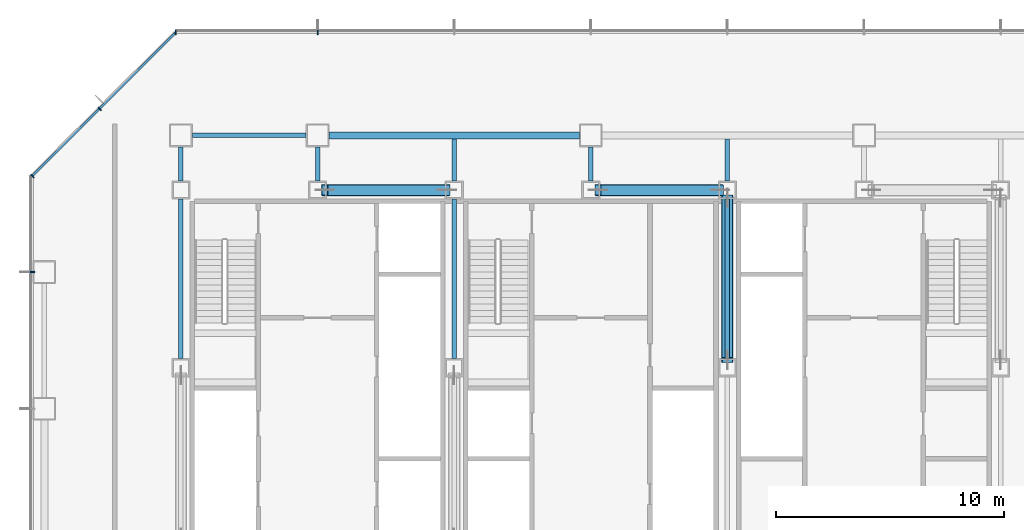
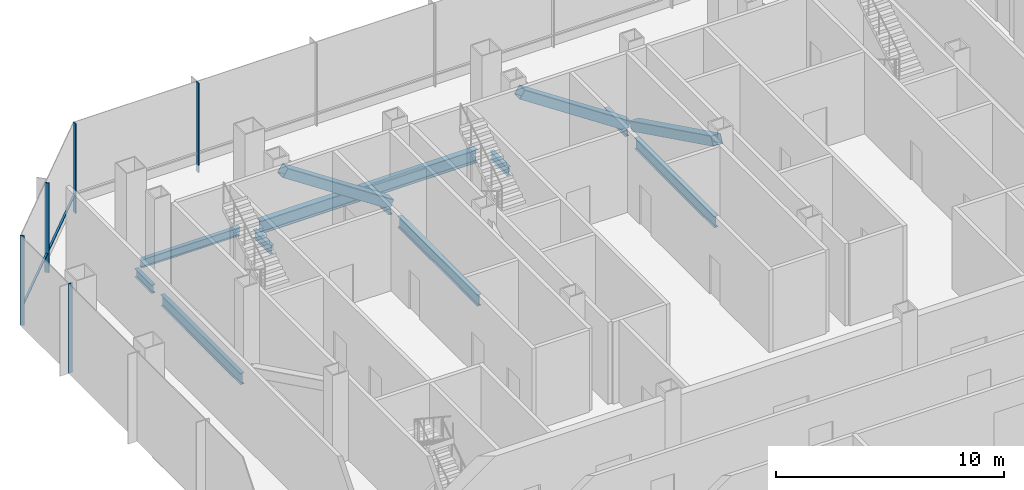
# One storey, part 13 of 33: 10 beams, 9 members, 3 elements without a shape of their own.
"""IFC4 building model written with IfcOpenShell, lengths in metres."""

import ifcopenshell
import ifcopenshell.guid

model = None  # the IFC model being written
_history = None  # IfcOwnerHistory: only IFC2X3 demands one
_inside = {}  # id of a spatial element -> (the spatial element, [elements in it])
_under = {}  # id of a project, library or spatial element -> (it, [spatial elements below it])
_declared = {}  # id of a project -> (the project, [libraries it declares])
_typed = {}  # id of a type object -> (the type object, [elements of that type])
_made_of = {}  # id of a material, layer set ... -> (it, [elements and type objects made of it])


def new_model(schema):
    """Start an empty IFC model of exactly this schema.

    Asked for "IFC4X3", IfcOpenShell would pick the latest addendum, in which some entities
    have other attributes; the version numbers below select the first issue.
    IFC2X3 requires an IfcOwnerHistory on every rooted entity: one is made here for all.
    """
    global model, _history
    if schema == "IFC4X3":
        model = ifcopenshell.file(schema_version=(4, 3, 0, 0))
    else:
        model = ifcopenshell.file(schema=schema)
    _inside.clear()
    _under.clear()
    _declared.clear()
    _typed.clear()
    _made_of.clear()
    _history = None
    if model.schema == "IFC2X3":
        org = make("IfcOrganization", Name="unknown")
        user = make(
            "IfcPersonAndOrganization",
            ThePerson=make("IfcPerson", FamilyName="unknown"),
            TheOrganization=org,
        )
        app = make(
            "IfcApplication",
            ApplicationDeveloper=org,
            Version="unknown",
            ApplicationFullName="unknown",
            ApplicationIdentifier="unknown",
        )
        _history = make(
            "IfcOwnerHistory",
            OwningUser=user,
            OwningApplication=app,
            ChangeAction="ADDED",
            CreationDate=0,
        )
    return model


def make(cls, **values):
    """One entity of the class cls with the attributes given. An attribute that is None is left unset."""
    return model.create_entity(
        cls, **{name: value for name, value in values.items() if value is not None}
    )


def rooted(cls, **values):
    """An entity with a GlobalId (a new one), such as an element, a storey or a relation."""
    return make(cls, GlobalId=ifcopenshell.guid.new(), OwnerHistory=_history, **values)


def si_unit(unit_type, name, prefix=None):
    """IfcSIUnit, for example si_unit("LENGTHUNIT", "METRE", prefix="MILLI")."""
    return make("IfcSIUnit", UnitType=unit_type, Prefix=prefix, Name=name)


def assignment(units):
    """IfcUnitAssignment: the units of a project."""
    return None if units is None else make("IfcUnitAssignment", Units=units)


def point(xyz):
    """IfcCartesianPoint."""
    return None if xyz is None else make("IfcCartesianPoint", Coordinates=xyz)


def direction(xyz):
    """IfcDirection."""
    return None if xyz is None else make("IfcDirection", DirectionRatios=xyz)


def frame(location, z_axis=None, x_axis=None):
    """IfcAxis2Placement3D, a coordinate frame: its origin and axes. An axis left out is left unset."""
    return make(
        "IfcAxis2Placement3D",
        Location=point(location),
        Axis=direction(z_axis),
        RefDirection=direction(x_axis),
    )


def frame_2d(location, x_axis=None):
    """IfcAxis2Placement2D, a coordinate frame in the plane: its origin and x axis."""
    return make(
        "IfcAxis2Placement2D", Location=point(location), RefDirection=direction(x_axis)
    )


def origin():
    """The frame at (0, 0, 0) with its axes left unset."""
    return frame((0.0, 0.0, 0.0))


def origin_2d():
    """The frame at (0, 0) in the plane with its x axis left unset."""
    return frame_2d((0.0, 0.0))


def place(relative_to, where):
    """IfcLocalPlacement: puts the frame where relative to a parent placement (None: the world)."""
    return make(
        "IfcLocalPlacement", PlacementRelTo=relative_to, RelativePlacement=where
    )


def context(
    kind, dimensions, precision=None, world=None, true_north=None, identifier=None
):
    """IfcGeometricRepresentationContext, for example the 3D "Model" context."""
    return make(
        "IfcGeometricRepresentationContext",
        ContextIdentifier=identifier,
        ContextType=kind,
        CoordinateSpaceDimension=dimensions,
        Precision=precision,
        WorldCoordinateSystem=world,
        TrueNorth=true_north,
    )


def subcontext(parent, identifier, kind, view, scale=None):
    """IfcGeometricRepresentationSubContext, for example "Body" below "Model"."""
    return make(
        "IfcGeometricRepresentationSubContext",
        ContextIdentifier=identifier,
        ContextType=kind,
        ParentContext=parent,
        TargetScale=scale,
        TargetView=view,
    )


def project(units=None, contexts=None):
    """IfcProject with its units and contexts."""
    return rooted(
        "IfcProject",
        Name="project",
        RepresentationContexts=contexts,
        UnitsInContext=assignment(units),
    )


def spatial(cls, under=None, at=None, **own):
    """A site, building, storey or space (cls), placed at a placement, below another one or the project."""
    s = rooted(cls, ObjectPlacement=at, **own)
    if under is not None:
        _under.setdefault(under.id(), (under, []))[1].append(s)
    return s


def profile(cls, at=None, kind="AREA", **sizes):
    """A parametric profile (cls). Its sizes go by their IFC names, for example OverallWidth=200.0."""
    return make(cls, ProfileType=kind, Position=at, **sizes)


def rectangle(**sizes):
    """IfcRectangleProfileDef."""
    return profile("IfcRectangleProfileDef", **sizes)


def hollow_rectangle(**sizes):
    """IfcRectangleHollowProfileDef."""
    return profile("IfcRectangleHollowProfileDef", **sizes)


def i_section(**sizes):
    """IfcIShapeProfileDef."""
    return profile("IfcIShapeProfileDef", **sizes)


def extrude(swept, where, along, depth):
    """IfcExtrudedAreaSolid: the profile swept, set in the frame where, extruded along a direction by depth."""
    return make(
        "IfcExtrudedAreaSolid",
        SweptArea=swept,
        Position=where,
        ExtrudedDirection=direction(along),
        Depth=depth,
    )


def shape(context_of_items, identifier, shape_type, items):
    """IfcShapeRepresentation: the items that make up one representation, for example the "Body"."""
    return make(
        "IfcShapeRepresentation",
        ContextOfItems=context_of_items,
        RepresentationIdentifier=identifier,
        RepresentationType=shape_type,
        Items=items,
    )


def material(Name=None, Category=None):
    """IfcMaterial."""
    return make("IfcMaterial", Name=Name, Category=Category)


def material_profile(
    of_material, cross_section, Name=None, Category=None, Priority=None
):
    """IfcMaterialProfile: a cross section and its material."""
    return make(
        "IfcMaterialProfile",
        Name=Name,
        Material=of_material,
        Profile=cross_section,
        Priority=Priority,
        Category=Category,
    )


def profile_set(profiles, Name=None, composite=None):
    """IfcMaterialProfileSet."""
    return make(
        "IfcMaterialProfileSet",
        Name=Name,
        MaterialProfiles=profiles,
        CompositeProfile=composite,
    )


def made_of(thing, what):
    """Note that an element or type object is made of a material, layer set ...; save() writes the relation."""
    if what is not None:
        _made_of.setdefault(what.id(), (what, []))[1].append(thing)
    return thing


def type_object(cls, material=None, **own):
    """A type object (cls), such as IfcWallType, which elements share."""
    return made_of(rooted(cls, **own), material)


def element(
    cls,
    number,
    at=None,
    inside=None,
    cuts=None,
    type_object=None,
    material=None,
    context=None,
    identifier="Body",
    shape_type=None,
    held_by="IfcProductDefinitionShape",
    body=None,
    shapes=None,
    **own,
):
    """One element of the class cls, such as IfcWall. Its Tag is "e" and its number.

    at: its placement. inside: the storey or other place that contains it. cuts: it is an
    opening in that element (IfcRelVoidsElement). A single representation is given by context,
    identifier, shape_type and body (its items); several are given by shapes. held_by: the class
    of the entity that holds the representations. save() writes the other relations.
    """
    e = rooted(cls, Tag="e%d" % number, ObjectPlacement=at, **own)
    if body is not None:
        shapes = [shape(context, identifier, shape_type, body)]
    if shapes is not None:
        e.Representation = make(held_by, Representations=shapes)
    if inside is not None:
        _inside.setdefault(inside.id(), (inside, []))[1].append(e)
    if cuts is not None:
        rooted(
            "IfcRelVoidsElement", RelatingBuildingElement=cuts, RelatedOpeningElement=e
        )
    if type_object is not None:
        _typed.setdefault(type_object.id(), (type_object, []))[1].append(e)
    return made_of(e, material)


def aggregate(whole, parts):
    """IfcRelAggregates: a whole, such as a stair, and the parts it consists of."""
    return rooted("IfcRelAggregates", RelatingObject=whole, RelatedObjects=parts)


def save(model, path):
    """Write the relations noted so far, then the file.

    IfcRelAggregates (storeys below a building ...), IfcRelContainedInSpatialStructure (elements
    in a storey), IfcRelDefinesByType, IfcRelAssociatesMaterial and IfcRelDeclares: one each for
    every whole, place, type object, material and project.
    """
    for whole, parts in _under.values():
        aggregate(whole, parts)
    for where, things in _inside.values():
        rooted(
            "IfcRelContainedInSpatialStructure",
            RelatedElements=things,
            RelatingStructure=where,
        )
    for kind, things in _typed.values():
        rooted("IfcRelDefinesByType", RelatedObjects=things, RelatingType=kind)
    for what, things in _made_of.values():
        rooted("IfcRelAssociatesMaterial", RelatedObjects=things, RelatingMaterial=what)
    for by, libraries in _declared.values():
        rooted("IfcRelDeclares", RelatingContext=by, RelatedDefinitions=libraries)
    model.write(path)


model = new_model("IFC4")

# Units and contexts
model_context = context("Model", 3, precision=1e-05, world=origin(), true_north=direction((0.0, 1.0)))
body_context = subcontext(model_context, "Body", "Model", "MODEL_VIEW")
ifc_project = project(units=[si_unit("LENGTHUNIT", "METRE"), si_unit("AREAUNIT", "SQUARE_METRE"), si_unit("VOLUMEUNIT", "CUBIC_METRE"), si_unit("PLANEANGLEUNIT", "RADIAN"), si_unit("MASSUNIT", "GRAM", prefix="KILO")], contexts=[model_context])

# Site, building, storey
site_placement = place(None, origin())
site = spatial("IfcSite", under=ifc_project, at=site_placement, CompositionType="ELEMENT")
building_placement = place(site_placement, origin())
building = spatial("IfcBuilding", under=site, at=building_placement, Name="Sorahane Residences", CompositionType="ELEMENT")
storey_placement = place(building_placement, frame((0.0, 0.0, 25.199951171875)))
storey = spatial("IfcBuildingStorey", under=building, at=storey_placement, Name="L03", CompositionType="ELEMENT", Elevation=25.199951171875)

# Members
ifc_material_1 = material(Name="Steel Q355B", Category="steel")
ifc_material_profile_1 = material_profile(ifc_material_1, hollow_rectangle(XDim=0.5, YDim=0.5, WallThickness=0.02490234375, InnerFilletRadius=0.012451171875, OuterFilletRadius=0.03759765625, at=origin_2d()), Name="RHS 500x500x25")
ifc_profile_set_1 = profile_set([ifc_material_profile_1], Name="Steel Q355B")
member_type_1 = type_object("IfcMemberType", Name="Core brace RHS 500x500x25 Q355B", PredefinedType="BRACE", material=ifc_profile_set_1)
for number, where, z_axis, x_axis, name in (
    (1, (17.682861328125, 45.60009765625, 0.195068359375), (-0.833273178454, 0.0, 0.552861474575), (0.0, -1.0, 0.0), "Core brace L03 y45.6-2"),
    (2, (29.682861328125, 45.60009765625, 0.195068359375), (-0.833273178454, 0.0, 0.552861474575), (0.0, -1.0, 0.0), "Core brace L03 y45.6-4"),
):
    element("IfcMember", number, at=place(storey_placement, frame(where, z_axis=z_axis, x_axis=x_axis)), inside=storey, type_object=member_type_1, Name=name, PredefinedType="BRACE", context=body_context, shape_type="SweptSolid", body=[
        extrude(hollow_rectangle(XDim=0.5, YDim=0.5, WallThickness=0.02490234375, InnerFilletRadius=0.012451171875, OuterFilletRadius=0.03759765625, at=origin_2d()), origin(), (0.0, 0.0, 1.0), 6.439453125),
    ])
member_1_placement = place(storey_placement, frame((30.0, 45.266357421875, 0.21728515625), z_axis=(0.0, -0.89697311716, 0.44208509033), x_axis=(1.0, 0.0, 0.0)))
element("IfcMember", 3, at=member_1_placement, inside=storey, type_object=member_type_1, Name="Core brace L03 x30-2", PredefinedType="BRACE", context=body_context, shape_type="SweptSolid", body=[
    extrude(hollow_rectangle(XDim=0.5, YDim=0.5, WallThickness=0.02490234375, InnerFilletRadius=0.012451171875, OuterFilletRadius=0.03759765625, at=origin_2d()), origin(), (0.0, 0.0, 1.0), 7.951904296875),
])

# Curtain wall, members
ifc_material_2 = material(Name="Dark low-e glass and black anodised aluminium", Category="aluminium")
curtain_wall_type = type_object("IfcCurtainWallType", Name="Curtain wall CW-3 Podium unitised wall", PredefinedType="NOTDEFINED", material=ifc_material_2)
curtain_wall_1_placement = place(storey_placement, origin())
curtain_wall_1 = element("IfcCurtainWall", 4, at=curtain_wall_1_placement, inside=storey, type_object=curtain_wall_type, Name="CW-3 curtain wall L03 N1", PredefinedType="NOTDEFINED")
ifc_material_3 = material(Name="Black anodised aluminium", Category="aluminium")
ifc_material_profile_2 = material_profile(ifc_material_3, rectangle(XDim=0.199951171875, YDim=0.050048828125, at=origin_2d()), Name="Curtain wall mullion CW-3 black anodised aluminium 50x200")
ifc_profile_set_2 = profile_set([ifc_material_profile_2], Name="Black anodised aluminium")
member_type_2 = type_object("IfcMemberType", Name="Curtain wall mullion CW-3 black anodised aluminium 50x200", PredefinedType="MULLION", material=ifc_profile_set_2)
member_2_placement = place(storey_placement, frame((12.0, 52.52001953125, -0.39990234375), z_axis=(0.0, 0.0, 1.0), x_axis=(0.0, 1.0, 0.0)))
member_2 = element("IfcMember", 5, at=member_2_placement, type_object=member_type_2, Name="CW-3 mullion L03 N1.12", PredefinedType="MULLION", context=body_context, shape_type="SweptSolid", body=[
    extrude(rectangle(XDim=0.199951171875, YDim=0.050048828125, at=origin_2d()), origin(), (0.0, 0.0, 1.0), 4.800048828125),
])
member_3_placement = place(storey_placement, frame((5.7763671875, 52.52001953125, -0.39990234375), z_axis=(0.0, 0.0, 1.0), x_axis=(0.0, 1.0, 0.0)))
member_3 = element("IfcMember", 6, at=member_3_placement, type_object=member_type_2, Name="CW-3 mullion L03 N1.13", PredefinedType="MULLION", context=body_context, shape_type="SweptSolid", body=[
    extrude(rectangle(XDim=0.199951171875, YDim=0.050048828125, at=origin_2d()), origin(), (0.0, 0.0, 1.0), 4.800048828125),
])
aggregate(curtain_wall_1, [member_2, member_3])

curtain_wall_2_placement = place(storey_placement, origin())
curtain_wall_2 = element("IfcCurtainWall", 7, at=curtain_wall_2_placement, inside=storey, type_object=curtain_wall_type, Name="CW-3 curtain wall L03 NW1", PredefinedType="NOTDEFINED")
member_4_placement = place(storey_placement, frame((2.432373046875, 49.167724609375, -0.39990234375), z_axis=(0.0, 0.0, 1.0), x_axis=(-0.707106781187, 0.707106781187, 0.0)))
member_4 = element("IfcMember", 8, at=member_4_placement, type_object=member_type_2, Name="CW-3 mullion L03 NW1.2", PredefinedType="MULLION", context=body_context, shape_type="SweptSolid", body=[
    extrude(rectangle(XDim=0.199951171875, YDim=0.050048828125, at=origin_2d()), origin(), (0.0, 0.0, 1.0), 4.800048828125),
])
member_5_placement = place(storey_placement, frame((-0.525634765625, 46.209716796875, -0.39990234375), z_axis=(0.0, 0.0, 1.0), x_axis=(-0.707106781187, 0.707106781187, 0.0)))
member_5 = element("IfcMember", 9, at=member_5_placement, type_object=member_type_2, Name="CW-3 mullion L03 NW1.3", PredefinedType="MULLION", context=body_context, shape_type="SweptSolid", body=[
    extrude(rectangle(XDim=0.199951171875, YDim=0.050048828125, at=origin_2d()), origin(), (0.0, 0.0, 1.0), 4.800048828125),
])

# Curtain wall, member
curtain_wall_3_placement = place(storey_placement, origin())
curtain_wall_3 = element("IfcCurtainWall", 10, at=curtain_wall_3_placement, inside=storey, type_object=curtain_wall_type, Name="CW-3 curtain wall L03 W1", PredefinedType="NOTDEFINED")
member_6_placement = place(storey_placement, frame((-0.52001953125, 42.0, -0.39990234375), z_axis=(0.0, 0.0, 1.0), x_axis=(-1.0, 0.0, 0.0)))
member_6 = element("IfcMember", 11, at=member_6_placement, type_object=member_type_2, Name="CW-3 mullion L03 W1.2", PredefinedType="MULLION", context=body_context, shape_type="SweptSolid", body=[
    extrude(rectangle(XDim=0.199951171875, YDim=0.050048828125, at=origin_2d()), origin(), (0.0, 0.0, 1.0), 4.800048828125),
])
aggregate(curtain_wall_3, [member_6])

# Member
ifc_material_4 = material(Name="Black anodised aluminium", Category="aluminium")
ifc_material_profile_3 = material_profile(ifc_material_4, rectangle(XDim=0.10009765625, YDim=0.06005859375, at=origin_2d()), Name="Curtain wall transom CW-3 black anodised aluminium 60x100")
ifc_profile_set_3 = profile_set([ifc_material_profile_3], Name="Black anodised aluminium")
member_type_3 = type_object("IfcMemberType", Name="Curtain wall transom CW-3 black anodised aluminium 60x100", PredefinedType="USERDEFINED", material=ifc_profile_set_3)
member_7_placement = place(storey_placement, frame((5.765625, 52.51513671875, 0.60009765625), z_axis=(-0.707106781187, -0.707106781187, 0.0), x_axis=(0.707106781187, -0.707106781187, 0.0)))
member_7 = element("IfcMember", 12, at=member_7_placement, type_object=member_type_3, Name="CW-3 transom L03 NW1", ObjectType="TRANSOM", PredefinedType="USERDEFINED", context=body_context, shape_type="SweptSolid", body=[
    extrude(rectangle(XDim=0.10009765625, YDim=0.06005859375, at=origin_2d()), origin(), (0.0, 0.0, 1.0), 8.88232421875),
])

aggregate(curtain_wall_2, [member_4, member_5, member_7])

# Beams
ifc_material_5 = material(Name="Steel Q355B", Category="steel")
ifc_material_profile_4 = material_profile(ifc_material_5, i_section(OverallWidth=0.199951171875, OverallDepth=0.449951171875, WebThickness=0.009033203125, FlangeThickness=0.013916015625, FilletRadius=0.02001953125, at=origin_2d()), Name="HN 450x200x9x14")
ifc_profile_set_4 = profile_set([ifc_material_profile_4], Name="Steel Q355B")
beam_type_1 = type_object("IfcBeamType", Name="Steel floor beam HN 450x200x9x14 Q355B", PredefinedType="BEAM", material=ifc_profile_set_4)
beam_1_placement = place(storey_placement, frame((6.5, 48.0, -0.625), z_axis=(1.0, 0.0, 0.0), x_axis=(0.0, 1.0, 0.0)))
element("IfcBeam", 13, at=beam_1_placement, inside=storey, type_object=beam_type_1, Name="Beam L03 018", PredefinedType="BEAM", context=body_context, shape_type="SweptSolid", body=[
    extrude(i_section(OverallWidth=0.199951171875, OverallDepth=0.449951171875, WebThickness=0.009033203125, FlangeThickness=0.013916015625, FilletRadius=0.02001953125, at=origin_2d()), origin(), (0.0, 0.0, 1.0), 5.0),
])
for number, where, z_axis, x_axis, name in (
    (14, (6.0, 46.0, -0.625), (0.0, 1.0, 0.0), (-1.0, 0.0, 0.0), "Beam L03 034"),
    (15, (12.0, 46.0, -0.625), (0.0, 1.0, 0.0), (-1.0, 0.0, 0.0), "Beam L03 037"),
):
    element("IfcBeam", number, at=place(storey_placement, frame(where, z_axis=z_axis, x_axis=x_axis)), inside=storey, type_object=beam_type_1, Name=name, PredefinedType="BEAM", context=body_context, shape_type="SweptSolid", body=[
        extrude(i_section(OverallWidth=0.199951171875, OverallDepth=0.449951171875, WebThickness=0.009033203125, FlangeThickness=0.013916015625, FilletRadius=0.02001953125, at=origin_2d()), origin(), (0.0, 0.0, 1.0), 1.5),
    ])
beam_2_placement = place(storey_placement, frame((18.0, 46.0, -0.625), z_axis=(0.0, 1.0, 0.0), x_axis=(-1.0, 0.0, 0.0)))
element("IfcBeam", 16, at=beam_2_placement, inside=storey, type_object=beam_type_1, Name="Beam L03 043", PredefinedType="BEAM", context=body_context, shape_type="SweptSolid", body=[
    extrude(i_section(OverallWidth=0.199951171875, OverallDepth=0.449951171875, WebThickness=0.009033203125, FlangeThickness=0.013916015625, FilletRadius=0.02001953125, at=origin_2d()), origin(), (0.0, 0.0, 1.0), 1.85009765625),
])
beam_3_placement = place(storey_placement, frame((24.0, 46.0, -0.625), z_axis=(0.0, 1.0, 0.0), x_axis=(-1.0, 0.0, 0.0)))
element("IfcBeam", 17, at=beam_3_placement, inside=storey, type_object=beam_type_1, Name="Beam L03 046", PredefinedType="BEAM", context=body_context, shape_type="SweptSolid", body=[
    extrude(i_section(OverallWidth=0.199951171875, OverallDepth=0.449951171875, WebThickness=0.009033203125, FlangeThickness=0.013916015625, FilletRadius=0.02001953125, at=origin_2d()), origin(), (0.0, 0.0, 1.0), 1.5),
])
beam_4_placement = place(storey_placement, frame((30.0, 46.0, -0.625), z_axis=(0.0, 1.0, 0.0), x_axis=(-1.0, 0.0, 0.0)))
element("IfcBeam", 18, at=beam_4_placement, inside=storey, type_object=beam_type_1, Name="Beam L03 052", PredefinedType="BEAM", context=body_context, shape_type="SweptSolid", body=[
    extrude(i_section(OverallWidth=0.199951171875, OverallDepth=0.449951171875, WebThickness=0.009033203125, FlangeThickness=0.013916015625, FilletRadius=0.02001953125, at=origin_2d()), origin(), (0.0, 0.0, 1.0), 1.85009765625),
])
ifc_material_6 = material(Name="Steel Q355B", Category="steel")
ifc_material_profile_5 = material_profile(ifc_material_6, i_section(OverallWidth=0.199951171875, OverallDepth=0.60009765625, WebThickness=0.010986328125, FlangeThickness=0.01708984375, FilletRadius=0.02392578125, at=origin_2d()), Name="HN 600x200x11x17")
ifc_profile_set_5 = profile_set([ifc_material_profile_5], Name="Steel Q355B")
beam_type_2 = type_object("IfcBeamType", Name="Steel floor beam HN 600x200x11x17 Q355B", PredefinedType="BEAM", material=ifc_profile_set_5)
for number, where, z_axis, x_axis, name in (
    (19, (6.0, 38.199951171875, -0.699951171875), (0.0, 1.0, 0.0), (-1.0, 0.0, 0.0), "Beam L03 033"),
    (20, (18.0, 38.199951171875, -0.699951171875), (0.0, 1.0, 0.0), (-1.0, 0.0, 0.0), "Beam L03 042"),
    (21, (30.0, 38.199951171875, -0.699951171875), (0.0, 1.0, 0.0), (-1.0, 0.0, 0.0), "Beam L03 051"),
):
    element("IfcBeam", number, at=place(storey_placement, frame(where, z_axis=z_axis, x_axis=x_axis)), inside=storey, type_object=beam_type_2, Name=name, PredefinedType="BEAM", context=body_context, shape_type="SweptSolid", body=[
        extrude(i_section(OverallWidth=0.199951171875, OverallDepth=0.60009765625, WebThickness=0.010986328125, FlangeThickness=0.01708984375, FilletRadius=0.02392578125, at=origin_2d()), origin(), (0.0, 0.0, 1.0), 7.0),
    ])
ifc_material_7 = material(Name="Steel Q355B", Category="steel")
ifc_material_profile_6 = material_profile(ifc_material_7, i_section(OverallWidth=0.300048828125, OverallDepth=0.699951171875, WebThickness=0.012939453125, FlangeThickness=0.02392578125, FilletRadius=0.028076171875, at=origin_2d()), Name="HN 700x300x13x24")
ifc_profile_set_6 = profile_set([ifc_material_profile_6], Name="Steel Q355B")
beam_type_3 = type_object("IfcBeamType", Name="Steel floor beam HN 700x300x13x24 Q355B", PredefinedType="BEAM", material=ifc_profile_set_6)
beam_5_placement = place(storey_placement, frame((12.5, 48.0, -0.75), z_axis=(1.0, 0.0, 0.0), x_axis=(0.0, 1.0, 0.0)))
element("IfcBeam", 22, at=beam_5_placement, inside=storey, type_object=beam_type_3, Name="Beam L03 019", PredefinedType="BEAM", context=body_context, shape_type="SweptSolid", body=[
    extrude(i_section(OverallWidth=0.300048828125, OverallDepth=0.699951171875, WebThickness=0.012939453125, FlangeThickness=0.02392578125, FilletRadius=0.028076171875, at=origin_2d()), origin(), (0.0, 0.0, 1.0), 11.0),
])

save(model, "model.ifc")
